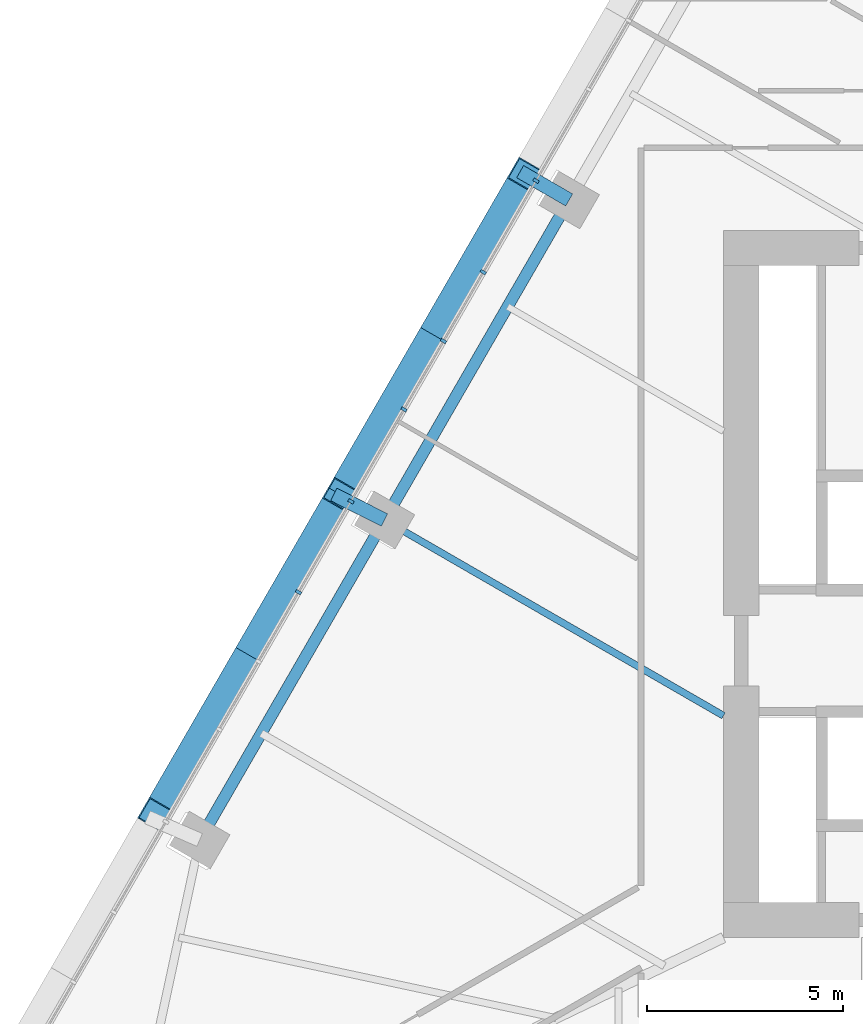
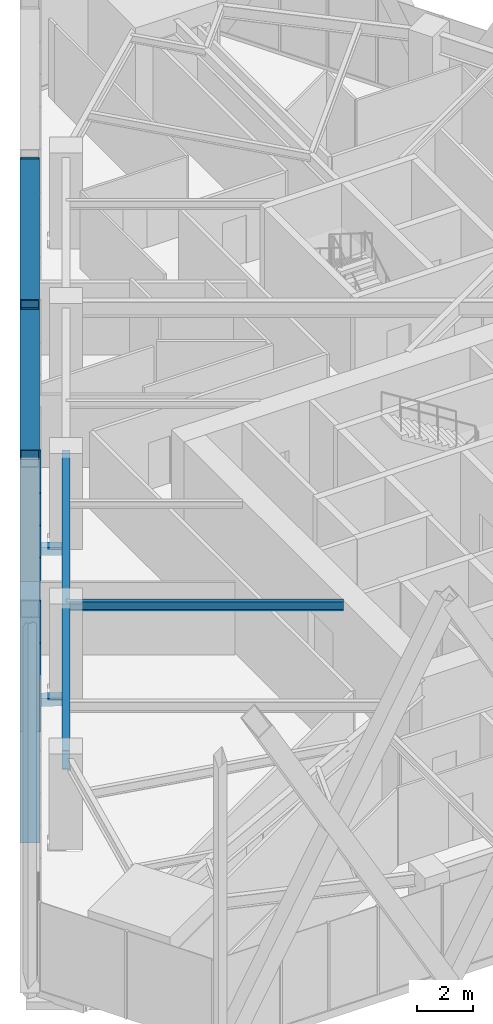
# One storey, part 3 of 21: 12 members, 2 beams, 1 element without a shape of its own.
"""IFC4 building model written with IfcOpenShell, lengths in metres."""

from ifc_helpers import new_model, si_unit, direction, frame, origin, origin_2d, place, context, subcontext, project, spatial, rectangle, hollow_rectangle, i_section, extrude, material, layer, layer_set, material_profile, profile_set, type_object, element, aggregate, save


model = new_model("IFC4")

# Units and contexts
model_context = context("Model", 3, precision=1e-05, world=origin(), true_north=direction((0.0, 1.0)))
body_context = subcontext(model_context, "Body", "Model", "MODEL_VIEW")
ifc_project = project(units=[si_unit("LENGTHUNIT", "METRE"), si_unit("AREAUNIT", "SQUARE_METRE"), si_unit("VOLUMEUNIT", "CUBIC_METRE"), si_unit("PLANEANGLEUNIT", "RADIAN"), si_unit("MASSUNIT", "GRAM", prefix="KILO")], contexts=[model_context])

# Site, building, storey
site_placement = place(None, origin())
site = spatial("IfcSite", under=ifc_project, at=site_placement, CompositionType="ELEMENT")
building_placement = place(site_placement, origin())
building = spatial("IfcBuilding", under=site, at=building_placement, Name="Firuza Gate Tower and Library", CompositionType="ELEMENT")
storey_placement = place(building_placement, frame((0.0, 0.0, 90.39990234375)))
storey = spatial("IfcBuildingStorey", under=building, at=storey_placement, Name="L20", CompositionType="ELEMENT", Elevation=90.39990234375)

# Members
ifc_material_1 = material(Name="Steel S355", Category="steel")
ifc_material_profile_1 = material_profile(ifc_material_1, hollow_rectangle(XDim=0.699951171875, YDim=0.699951171875, WallThickness=0.030029296875, at=origin_2d()))
ifc_profile_set_1 = profile_set([ifc_material_profile_1], Name="Steel S355")
member_type_1 = type_object("IfcMemberType", Name="BU700x700x30 Lattice brace", PredefinedType="BRACE", material=ifc_profile_set_1)
for number, where, z_axis, x_axis, name in (
    (1, (56.948486328125, 85.422119140625, 0.0), (-0.24420840192, -0.422983459052, 0.872609448608), (0.866026478318, -0.499998138849, 0.0), "Lattice brace W 4.4R"),
    (2, (52.246826171875, 77.278564453125, 0.0), (0.24420840192, 0.422983459052, 0.872609448608), (-0.866026478318, 0.499998138849, 0.0), "Lattice brace W 4.4L"),
    (3, (52.246826171875, 77.278564453125, 0.0), (-0.24420840192, -0.422983459052, 0.872609448608), (0.866026478318, -0.499998138849, 0.0), "Lattice brace W 4.5R"),
    (4, (47.545166015625, 69.135009765625, 0.0), (0.24420840192, 0.422983459052, 0.872609448608), (-0.866026478318, 0.499998138849, 0.0), "Lattice brace W 4.5L"),
):
    element("IfcMember", number, at=place(storey_placement, frame(where, z_axis=z_axis, x_axis=x_axis)), inside=storey, type_object=member_type_1, Name=name, PredefinedType="BRACE", context=body_context, shape_type="SweptSolid", body=[
        extrude(hollow_rectangle(XDim=0.699951171875, YDim=0.699951171875, WallThickness=0.030029296875, at=origin_2d()), origin(), (0.0, 0.0, 1.0), 19.252685546875),
    ])

# Curtain wall, members
ifc_material_2 = material(Name="Aluminium 6063-T6", Category="aluminium")
ifc_layer = layer(ifc_material_2, 0.14990234375)
ifc_layer_set = layer_set([ifc_layer], Name="Unitised curtain wall, offices")
curtain_wall_type = type_object("IfcCurtainWallType", Name="Unitised curtain wall, offices", PredefinedType="NOTDEFINED", material=ifc_layer_set)
curtain_wall_placement = place(storey_placement, origin())
curtain_wall = element("IfcCurtainWall", 5, at=curtain_wall_placement, inside=storey, type_object=curtain_wall_type, Name="CW1 L20 W face", PredefinedType="NOTDEFINED")
ifc_material_3 = material(Name="Aluminium 6063-T6", Category="aluminium")
ifc_material_profile_2 = material_profile(ifc_material_3, rectangle(XDim=0.14990234375, YDim=0.080078125, at=origin_2d()))
ifc_profile_set_2 = profile_set([ifc_material_profile_2], Name="Aluminium 6063-T6")
member_type_2 = type_object("IfcMemberType", Name="Curtain wall mullion 80x150", PredefinedType="MULLION", material=ifc_profile_set_2)
member_1_placement = place(storey_placement, frame((57.22998046875, 85.259521484375, 0.150146484375), z_axis=(0.0, 0.0, 1.0), x_axis=(0.866025403784, -0.5, 0.0)))
member_1 = element("IfcMember", 6, at=member_1_placement, type_object=member_type_2, Name="Mullion", PredefinedType="MULLION", context=body_context, shape_type="SweptSolid", body=[
    extrude(rectangle(XDim=0.14990234375, YDim=0.080078125, at=origin_2d()), origin(), (0.0, 0.0, 1.0), 3.849853515625),
])
member_2_placement = place(storey_placement, frame((54.87548828125, 81.181396484375, 0.150146484375), z_axis=(0.0, 0.0, 1.0), x_axis=(0.866025403784, -0.5, 0.0)))
member_2 = element("IfcMember", 7, at=member_2_placement, type_object=member_type_2, Name="Mullion", PredefinedType="MULLION", context=body_context, shape_type="SweptSolid", body=[
    extrude(rectangle(XDim=0.14990234375, YDim=0.080078125, at=origin_2d()), origin(), (0.0, 0.0, 1.0), 3.849853515625),
])
member_3_placement = place(storey_placement, frame((52.52099609375, 77.103515625, 0.150146484375), z_axis=(0.0, 0.0, 1.0), x_axis=(0.866025403784, -0.5, 0.0)))
member_3 = element("IfcMember", 8, at=member_3_placement, type_object=member_type_2, Name="Mullion", PredefinedType="MULLION", context=body_context, shape_type="SweptSolid", body=[
    extrude(rectangle(XDim=0.14990234375, YDim=0.080078125, at=origin_2d()), origin(), (0.0, 0.0, 1.0), 3.849853515625),
])
member_4_placement = place(storey_placement, frame((55.887451171875, 82.934326171875, 0.150146484375), z_axis=(0.0, 0.0, 1.0), x_axis=(0.866025403784, -0.5, 0.0)))
member_4 = element("IfcMember", 9, at=member_4_placement, type_object=member_type_2, Name="Mullion", PredefinedType="MULLION", context=body_context, shape_type="SweptSolid", body=[
    extrude(rectangle(XDim=0.14990234375, YDim=0.080078125, at=origin_2d()), origin(), (0.0, 0.0, 1.0), 3.849853515625),
])
member_5_placement = place(storey_placement, frame((53.870849609375, 79.441162109375, 0.150146484375), z_axis=(0.0, 0.0, 1.0), x_axis=(0.866025403784, -0.5, 0.0)))
member_5 = element("IfcMember", 10, at=member_5_placement, type_object=member_type_2, Name="Mullion", PredefinedType="MULLION", context=body_context, shape_type="SweptSolid", body=[
    extrude(rectangle(XDim=0.14990234375, YDim=0.080078125, at=origin_2d()), origin(), (0.0, 0.0, 1.0), 3.849853515625),
])
member_6_placement = place(storey_placement, frame((51.185791015625, 74.790771484375, 0.150146484375), z_axis=(0.0, 0.0, 1.0), x_axis=(0.866025403784, -0.5, 0.0)))
member_6 = element("IfcMember", 11, at=member_6_placement, type_object=member_type_2, Name="Mullion", PredefinedType="MULLION", context=body_context, shape_type="SweptSolid", body=[
    extrude(rectangle(XDim=0.14990234375, YDim=0.080078125, at=origin_2d()), origin(), (0.0, 0.0, 1.0), 3.849853515625),
])
aggregate(curtain_wall, [member_1, member_2, member_3, member_4, member_5, member_6])

# Members
ifc_material_4 = material(Name="Steel S355", Category="steel")
ifc_material_profile_3 = material_profile(ifc_material_4, hollow_rectangle(XDim=0.355712890625, YDim=0.355712890625, WallThickness=0.014892578125, at=origin_2d()))
ifc_profile_set_3 = profile_set([ifc_material_profile_3], Name="Steel S355")
member_type_3 = type_object("IfcMemberType", Name="HSS356x356x16 Lattice node tie", PredefinedType="BRACE", material=ifc_profile_set_3)
member_7_placement = place(storey_placement, frame((53.372802734375, 76.62841796875, -0.31982421875), z_axis=(-0.892968835192, 0.450118494817, 0.0), x_axis=(-0.450118494817, -0.892968835192, 0.0)))
element("IfcMember", 12, at=member_7_placement, inside=storey, type_object=member_type_3, Name="Lattice node tie W L20 80", PredefinedType="BRACE", context=body_context, shape_type="SweptSolid", body=[
    extrude(hollow_rectangle(XDim=0.355712890625, YDim=0.355712890625, WallThickness=0.014892578125, at=origin_2d()), origin(), (0.0, 0.0, 1.0), 1.4443359375),
])
member_8_placement = place(storey_placement, frame((58.074462890625, 84.77197265625, -0.31982421875), z_axis=(-0.866036153491, 0.4999813805, 0.0), x_axis=(-0.4999813805, -0.866036153491, 0.0)))
element("IfcMember", 13, at=member_8_placement, inside=storey, type_object=member_type_3, Name="Lattice node tie W L20 81", PredefinedType="BRACE", context=body_context, shape_type="SweptSolid", body=[
    extrude(hollow_rectangle(XDim=0.355712890625, YDim=0.355712890625, WallThickness=0.014892578125, at=origin_2d()), origin(), (0.0, 0.0, 1.0), 1.44189453125),
])

# Beams
ifc_material_5 = material(Name="Steel S355", Category="steel")
ifc_material_profile_4 = material_profile(ifc_material_5, i_section(OverallWidth=0.177978515625, OverallDepth=0.406982421875, WebThickness=0.0078125, FlangeThickness=0.0126953125, at=origin_2d()))
ifc_profile_set_4 = profile_set([ifc_material_profile_4], Name="Steel S355")
beam_type_1 = type_object("IfcBeamType", Name="W410x60 Floor beam", PredefinedType="JOIST", material=ifc_profile_set_4)
beam_1_placement = place(storey_placement, frame((53.372802734375, 76.62841796875, 3.796630859375), z_axis=(0.866023562183, -0.500003189735, 0.0), x_axis=(0.500003189735, 0.866023562183, 0.0)))
element("IfcBeam", 14, at=beam_1_placement, inside=storey, type_object=beam_type_1, Name="Floor beam L20 s84", PredefinedType="JOIST", context=body_context, shape_type="SweptSolid", body=[
    extrude(i_section(OverallWidth=0.177978515625, OverallDepth=0.406982421875, WebThickness=0.0078125, FlangeThickness=0.0126953125, at=origin_2d()), origin(), (0.0, 0.0, 1.0), 9.9619140625),
])
ifc_material_6 = material(Name="Steel S355", Category="steel")
ifc_material_profile_5 = material_profile(ifc_material_6, i_section(OverallWidth=0.2919921875, OverallDepth=0.8349609375, WebThickness=0.013916015625, FlangeThickness=0.018798828125, at=origin_2d()))
ifc_profile_set_5 = profile_set([ifc_material_profile_5], Name="Steel S355")
beam_type_2 = type_object("IfcBeamType", Name="W840x176 Edge beam", PredefinedType="SPANDREL", material=ifc_profile_set_5)
beam_2_placement = place(storey_placement, frame((58.074462890625, 84.77197265625, 3.58251953125), z_axis=(-0.500007874956, -0.866020857129, 0.0), x_axis=(0.866020857129, -0.500007874956, 0.0)))
element("IfcBeam", 15, at=beam_2_placement, inside=storey, type_object=beam_type_2, Name="Edge beam L20 e82", PredefinedType="SPANDREL", context=body_context, shape_type="SweptSolid", body=[
    extrude(i_section(OverallWidth=0.2919921875, OverallDepth=0.8349609375, WebThickness=0.013916015625, FlangeThickness=0.018798828125, at=origin_2d()), origin(), (0.0, 0.0, 1.0), 18.806884765625),
])

save(model, "model.ifc")
